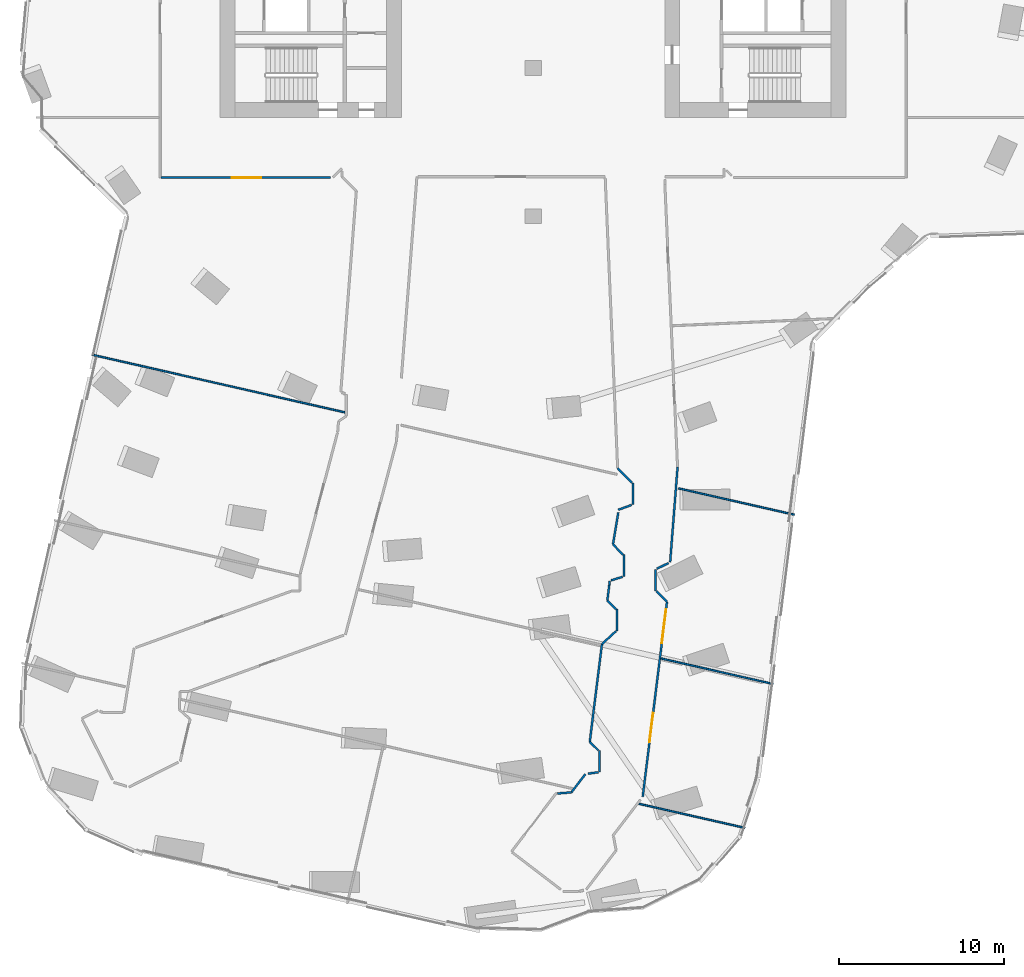
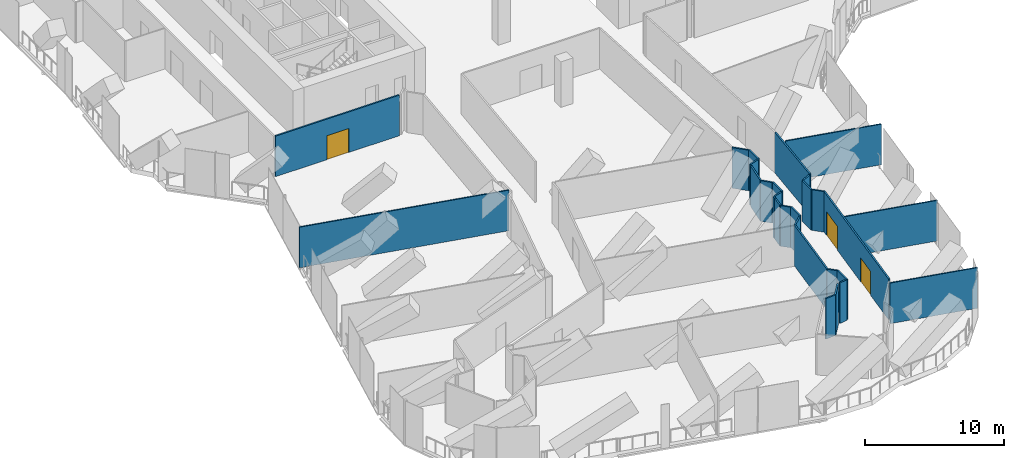
# One storey, part 21 of 29: 28 walls, 3 doors, 3 openings.
"""IFC4 building model written with IfcOpenShell, lengths in metres."""

from ifc_helpers import new_model, si_unit, direction, frame, frame_2d, origin, place, context, subcontext, project, spatial, rectangle, extrude, material, layer, layer_set, type_object, element, fill, save


model = new_model("IFC4")

# Units and contexts
model_context = context("Model", 3, precision=1e-05, world=origin(), true_north=direction((0.0, 1.0)))
body_context = subcontext(model_context, "Body", "Model", "MODEL_VIEW")
ifc_project = project(units=[si_unit("LENGTHUNIT", "METRE"), si_unit("AREAUNIT", "SQUARE_METRE"), si_unit("VOLUMEUNIT", "CUBIC_METRE"), si_unit("PLANEANGLEUNIT", "RADIAN"), si_unit("MASSUNIT", "GRAM", prefix="KILO")], contexts=[model_context])

# Site, building, storey
site_placement = place(None, origin())
site = spatial("IfcSite", under=ifc_project, at=site_placement, CompositionType="ELEMENT")
building_placement = place(site_placement, origin())
building = spatial("IfcBuilding", under=site, at=building_placement, Name="Orlundy Tower", CompositionType="ELEMENT")
storey_placement = place(building_placement, frame((0.0, 0.0, 184.60009765625)))
storey = spatial("IfcBuildingStorey", under=building, at=storey_placement, Name="L48", CompositionType="ELEMENT", Elevation=184.60009765625)

# Walls
ifc_material_1 = material(Name="Gypsum board partition")
ifc_layer_1 = layer(ifc_material_1, 0.10009765625)
ifc_layer_set_1 = layer_set([ifc_layer_1], Name="Floor partition 100")
wall_type_1 = type_object("IfcWallType", Name="Floor partition 100", PredefinedType="PARTITIONING", material=ifc_layer_set_1)
wall_1_placement = place(storey_placement, frame((6.431884765625, -53.6689453125, 0.0), z_axis=(0.0, 0.0, 1.0), x_axis=(0.975036744578, -0.222043569425, 0.0)))
element("IfcWall", 1, at=wall_1_placement, inside=storey, type_object=wall_type_1, Name="wall-int-L48-016", PredefinedType="PARTITIONING", context=body_context, shape_type="SweptSolid", body=[
    extrude(rectangle(XDim=6.59375, YDim=0.10009765625, at=frame_2d((3.296875, 0.0))), origin(), (0.0, 0.0, 1.0), 3.559814453125),
])
wall_2_placement = place(storey_placement, frame((7.761962890625, -44.843994140625, 0.0), z_axis=(0.0, 0.0, 1.0), x_axis=(0.97502842399, -0.222080103594, 0.0)))
element("IfcWall", 2, at=wall_2_placement, inside=storey, type_object=wall_type_1, Name="wall-int-L48-019", PredefinedType="PARTITIONING", context=body_context, shape_type="SweptSolid", body=[
    extrude(rectangle(XDim=6.988525390625, YDim=0.10009765625, at=frame_2d((3.494140625, 0.0))), origin(), (0.0, 0.0, 1.0), 3.559814453125),
])
wall_3_placement = place(storey_placement, frame((-26.783935546875, -26.404052734375, 0.0), z_axis=(0.0, 0.0, 1.0), x_axis=(0.975016314544, -0.222133262643, 0.0)))
element("IfcWall", 3, at=wall_3_placement, inside=storey, type_object=wall_type_1, Name="wall-int-L48-020", PredefinedType="PARTITIONING", context=body_context, shape_type="SweptSolid", body=[
    extrude(rectangle(XDim=15.7607421875, YDim=0.10009765625, at=frame_2d((7.88037109375, 0.0))), origin(), (0.0, 0.0, 1.0), 3.559814453125),
])
wall_4_placement = place(storey_placement, frame((8.83203125, -34.51806640625, 0.0), z_axis=(0.0, 0.0, 1.0), x_axis=(0.975036702015, -0.222043756329, 0.0)))
element("IfcWall", 4, at=wall_4_placement, inside=storey, type_object=wall_type_1, Name="wall-int-L48-022", PredefinedType="PARTITIONING", context=body_context, shape_type="SweptSolid", body=[
    extrude(rectangle(XDim=7.215087890625, YDim=0.10009765625, at=frame_2d((3.607421875, 0.0))), origin(), (0.0, 0.0, 1.0), 3.559814453125),
])
ifc_material_2 = material(Name="Gypsum board partition, double layer")
ifc_layer_2 = layer(ifc_material_2, 0.125)
ifc_layer_set_2 = layer_set([ifc_layer_2], Name="Floor partition 125")
wall_type_2 = type_object("IfcWallType", Name="Floor partition 125", PredefinedType="PARTITIONING", material=ifc_layer_set_2)
wall_5_placement = place(storey_placement, frame((1.468994140625, -53.0439453125, 0.0), z_axis=(0.0, 0.0, 1.0), x_axis=(0.996856824523, 0.079224184453, 0.0)))
element("IfcWall", 5, at=wall_5_placement, inside=storey, type_object=wall_type_2, Name="wall-int-L48-007", PredefinedType="PARTITIONING", context=body_context, shape_type="SweptSolid", body=[
    extrude(rectangle(XDim=0.856689453125, YDim=0.125, at=frame_2d((0.42822265625, 0.0))), origin(), (0.0, 0.0, 1.0), 3.559814453125),
])
wall_6_placement = place(storey_placement, frame((3.44091796875, -49.906982421875, 0.0), z_axis=(0.0, 0.0, 1.0), x_axis=(0.707946674324, -0.706265889247, 0.0)))
element("IfcWall", 6, at=wall_6_placement, inside=storey, type_object=wall_type_2, Name="wall-int-L48-024", PredefinedType="PARTITIONING", context=body_context, shape_type="SweptSolid", body=[
    extrude(rectangle(XDim=0.726318359375, YDim=0.125, at=frame_2d((0.36328125, 0.0))), origin(), (0.0, 0.0, 1.0), 3.559814453125),
])
wall_7_placement = place(storey_placement, frame((4.508056640625, -41.330078125, 0.0), z_axis=(0.0, 0.0, 1.0), x_axis=(0.707106781187, -0.707106781187, 0.0)))
element("IfcWall", 7, at=wall_7_placement, inside=storey, type_object=wall_type_2, Name="wall-int-L48-027", PredefinedType="PARTITIONING", context=body_context, shape_type="SweptSolid", body=[
    extrude(rectangle(XDim=0.740966796875, YDim=0.125, at=frame_2d((0.37060546875, 0.0))), origin(), (0.0, 0.0, 1.0), 3.559814453125),
])
wall_8_placement = place(storey_placement, frame((7.489013671875, -40.756103515625, 0.0), z_axis=(0.0, 0.0, 1.0), x_axis=(0.698901854073, -0.715217588132, 0.0)))
element("IfcWall", 8, at=wall_8_placement, inside=storey, type_object=wall_type_2, Name="wall-int-L48-029", PredefinedType="PARTITIONING", context=body_context, shape_type="SweptSolid", body=[
    extrude(rectangle(XDim=0.912841796875, YDim=0.125, at=frame_2d((0.45654296875, 0.0))), origin(), (0.0, 0.0, 1.0), 3.559814453125),
])
wall_9_placement = place(storey_placement, frame((4.85009765625, -37.9140625, 0.0), z_axis=(0.0, 0.0, 1.0), x_axis=(0.68792353656, -0.725783168617, 0.0)))
element("IfcWall", 9, at=wall_9_placement, inside=storey, type_object=wall_type_2, Name="wall-int-L48-030", PredefinedType="PARTITIONING", context=body_context, shape_type="SweptSolid", body=[
    extrude(rectangle(XDim=0.87060546875, YDim=0.125, at=frame_2d((0.435302734375, 0.0))), origin(), (0.0, 0.0, 1.0), 3.559814453125),
])
wall_10_placement = place(storey_placement, frame((5.132080078125, -33.291015625, 0.0), z_axis=(0.0, 0.0, 1.0), x_axis=(0.697395951128, -0.716686045176, 0.0)))
element("IfcWall", 10, at=wall_10_placement, inside=storey, type_object=wall_type_2, Name="wall-int-L48-031", PredefinedType="PARTITIONING", context=body_context, shape_type="SweptSolid", body=[
    extrude(rectangle(XDim=1.240234375, YDim=0.125, at=frame_2d((0.6201171875, 0.0))), origin(), (0.0, 0.0, 1.0), 3.559814453125),
])

# Wall, opening, door
wall_11_placement = place(storey_placement, frame((-12.31103515625, -15.65087890625, 0.0), z_axis=(0.0, 0.0, 1.0), x_axis=(-1.0, 0.0, 0.0)))
wall_11 = element("IfcWall", 11, at=wall_11_placement, inside=storey, type_object=wall_type_2, Name="wall-int-L48-033", PredefinedType="PARTITIONING", context=body_context, shape_type="SweptSolid", body=[
    extrude(rectangle(XDim=10.27587890625, YDim=0.125, at=frame_2d((5.137939453125, 0.0))), origin(), (0.0, 0.0, 1.0), 3.559814453125),
])
opening_1_placement = place(wall_11_placement, frame((4.19921875, 0.0, 0.0)))
opening_1 = element("IfcOpeningElement", 12, at=opening_1_placement, cuts=wall_11, Name="Opening 37110", PredefinedType="OPENING", context=body_context, shape_type="SweptSolid", body=[
    extrude(rectangle(XDim=1.800048828125, YDim=2.10009765625, at=frame_2d((0.89990234375, 1.050048828125))), frame((0.0, 0.072509765625, 0.0), z_axis=(0.0, -1.0, 0.0), x_axis=(1.0, 0.0, 0.0)), (0.0, 0.0, 1.0), 0.14501953125),
])
ifc_material_3 = material(Name="Timber door leaf", Category="wood")
door_type_1 = type_object("IfcDoorType", Name="Floor door double 1800 FD30S", OperationType="NOTDEFINED", PredefinedType="DOOR", material=ifc_material_3)
door_1_placement = place(opening_1_placement, origin())
door_1 = element("IfcDoor", 13, at=door_1_placement, inside=storey, type_object=door_type_1, Name="Door 37110", OperationType="DOUBLE_DOOR_SINGLE_SWING", OverallHeight=2.10009765625, OverallWidth=1.800048828125, PredefinedType="DOOR", context=body_context, shape_type="SweptSolid", body=[
    extrude(rectangle(XDim=1.800048828125, YDim=2.10009765625, at=frame_2d((0.89990234375, 1.050048828125))), frame((0.0, 0.02490234375, 0.0), z_axis=(0.0, -1.0, 0.0), x_axis=(1.0, 0.0, 0.0)), (0.0, 0.0, 1.0), 0.050048828125),
])
fill(opening_1, door_1)

# Walls
wall_12_placement = place(storey_placement, frame((4.178955078125, -43.972900390625, 0.0), z_axis=(0.0, 0.0, 1.0), x_axis=(0.735423785208, 0.677607449893, 0.0)))
element("IfcWall", 14, at=wall_12_placement, inside=storey, type_object=wall_type_2, Name="wall-int-L48-049", PredefinedType="PARTITIONING", context=body_context, shape_type="SweptSolid", body=[
    extrude(rectangle(XDim=1.1611328125, YDim=0.125, at=frame_2d((0.58056640625, 0.0))), origin(), (0.0, 0.0, 1.0), 3.559814453125),
])
wall_13_placement = place(storey_placement, frame((3.326904296875, -51.841064453125, 0.0), z_axis=(0.0, 0.0, 1.0), x_axis=(0.990117840242, 0.140237878032, 0.0)))
element("IfcWall", 15, at=wall_13_placement, inside=storey, type_object=wall_type_2, Name="wall-int-L48-050", PredefinedType="PARTITIONING", context=body_context, shape_type="SweptSolid", body=[
    extrude(rectangle(XDim=0.635498046875, YDim=0.125, at=frame_2d((0.31787109375, 0.0))), origin(), (0.0, 0.0, 1.0), 3.559814453125),
])
wall_14_placement = place(storey_placement, frame((4.72705078125, -40.10595703125, 0.0), z_axis=(0.0, 0.0, 1.0), x_axis=(0.955857938903, 0.293829203171, 0.0)))
element("IfcWall", 16, at=wall_14_placement, inside=storey, type_object=wall_type_2, Name="wall-int-L48-052", PredefinedType="PARTITIONING", context=body_context, shape_type="SweptSolid", body=[
    extrude(rectangle(XDim=0.7353515625, YDim=0.125, at=frame_2d((0.36767578125, 0.0))), origin(), (0.0, 0.0, 1.0), 3.559814453125),
])
wall_15_placement = place(storey_placement, frame((5.169921875, -35.820068359375, 0.0), z_axis=(0.0, 0.0, 1.0), x_axis=(0.940224983717, 0.34055393111, 0.0)))
element("IfcWall", 17, at=wall_15_placement, inside=storey, type_object=wall_type_2, Name="wall-int-L48-053", PredefinedType="PARTITIONING", context=body_context, shape_type="SweptSolid", body=[
    extrude(rectangle(XDim=0.857421875, YDim=0.125, at=frame_2d((0.4287109375, 0.0))), origin(), (0.0, 0.0, 1.0), 3.559814453125),
])
wall_16_placement = place(storey_placement, frame((7.51611328125, -39.39794921875, 0.0), z_axis=(0.0, 0.0, 1.0), x_axis=(0.897698918179, 0.440609410135, 0.0)))
element("IfcWall", 18, at=wall_16_placement, inside=storey, type_object=wall_type_2, Name="wall-int-L48-056", PredefinedType="PARTITIONING", context=body_context, shape_type="SweptSolid", body=[
    extrude(rectangle(XDim=0.78515625, YDim=0.125, at=frame_2d((0.392578125, 0.0))), origin(), (0.0, 0.0, 1.0), 3.559814453125),
])
wall_17_placement = place(storey_placement, frame((3.176025390625, -51.862060546875, 0.0), z_axis=(0.0, 0.0, 1.0), x_axis=(-0.607960208504, -0.793967496108, 0.0)))
element("IfcWall", 19, at=wall_17_placement, inside=storey, type_object=wall_type_2, Name="wall-int-L48-061", PredefinedType="PARTITIONING", context=body_context, shape_type="SweptSolid", body=[
    extrude(rectangle(XDim=1.403076171875, YDim=0.125, at=frame_2d((0.70166015625, 0.0))), origin(), (0.0, 0.0, 1.0), 3.559814453125),
])
wall_18_placement = place(storey_placement, frame((8.319091796875, -39.0029296875, 0.0), z_axis=(0.0, 0.0, 1.0), x_axis=(0.078040884087, 0.996950159442, 0.0)))
element("IfcWall", 20, at=wall_18_placement, inside=storey, type_object=wall_type_2, Name="wall-int-L48-071", PredefinedType="PARTITIONING", context=body_context, shape_type="SweptSolid", body=[
    extrude(rectangle(XDim=5.79052734375, YDim=0.125, at=frame_2d((2.895263671875, 0.0))), origin(), (0.0, 0.0, 1.0), 3.559814453125),
])
wall_19_placement = place(storey_placement, frame((4.85009765625, -37.9140625, 0.0), z_axis=(0.0, 0.0, 1.0), x_axis=(0.163730111837, 0.986505170021, 0.0)))
element("IfcWall", 21, at=wall_19_placement, inside=storey, type_object=wall_type_2, Name="wall-int-L48-072", PredefinedType="PARTITIONING", context=body_context, shape_type="SweptSolid", body=[
    extrude(rectangle(XDim=1.953369140625, YDim=0.125, at=frame_2d((0.9765625, 0.0))), origin(), (0.0, 0.0, 1.0), 3.559814453125),
])

# Wall, openings, doors
wall_20_placement = place(storey_placement, frame((8.126953125, -41.408935546875, 0.0), z_axis=(0.0, 0.0, 1.0), x_axis=(-0.123520658821, -0.992342000948, 0.0)))
wall_20 = element("IfcWall", 22, at=wall_20_placement, inside=storey, type_object=wall_type_2, Name="wall-int-L48-073", PredefinedType="PARTITIONING", context=body_context, shape_type="SweptSolid", body=[
    extrude(rectangle(XDim=11.92431640625, YDim=0.125, at=frame_2d((5.962158203125, 0.0))), origin(), (0.0, 0.0, 1.0), 3.559814453125),
])
opening_2_placement = place(wall_20_placement, frame((0.443115234375, 0.0, 0.0)))
opening_2 = element("IfcOpeningElement", 23, at=opening_2_placement, cuts=wall_20, Name="Opening 37100", PredefinedType="OPENING", context=body_context, shape_type="SweptSolid", body=[
    extrude(rectangle(XDim=2.10009765625, YDim=2.10009765625, at=frame_2d((1.050048828125, 1.050048828125))), frame((0.0, 0.072509765625, 0.0), z_axis=(0.0, -1.0, 0.0), x_axis=(1.0, 0.0, 0.0)), (0.0, 0.0, 1.0), 0.14501953125),
])
opening_3_placement = place(wall_20_placement, frame((6.797607421875, 0.0, 0.0)))
opening_3 = element("IfcOpeningElement", 24, at=opening_3_placement, cuts=wall_20, Name="Opening 37101", PredefinedType="OPENING", context=body_context, shape_type="SweptSolid", body=[
    extrude(rectangle(XDim=1.800048828125, YDim=2.10009765625, at=frame_2d((0.89990234375, 1.050048828125))), frame((0.0, 0.072509765625, 0.0), z_axis=(0.0, -1.0, 0.0), x_axis=(1.0, 0.0, 0.0)), (0.0, 0.0, 1.0), 0.14501953125),
])
door_2_placement = place(opening_3_placement, origin())
door_2 = element("IfcDoor", 25, at=door_2_placement, inside=storey, type_object=door_type_1, Name="Door 37101", OperationType="DOUBLE_DOOR_SINGLE_SWING", OverallHeight=2.10009765625, OverallWidth=1.800048828125, PredefinedType="DOOR", context=body_context, shape_type="SweptSolid", body=[
    extrude(rectangle(XDim=1.800048828125, YDim=2.10009765625, at=frame_2d((0.89990234375, 1.050048828125))), frame((0.0, 0.02490234375, 0.0), z_axis=(0.0, -1.0, 0.0), x_axis=(1.0, 0.0, 0.0)), (0.0, 0.0, 1.0), 0.050048828125),
])
fill(opening_3, door_2)
ifc_material_4 = material(Name="Timber door leaf", Category="wood")
door_type_2 = type_object("IfcDoorType", Name="Floor door double 2100 FD30S", OperationType="NOTDEFINED", PredefinedType="DOOR", material=ifc_material_4)
door_3_placement = place(opening_2_placement, origin())
door_3 = element("IfcDoor", 26, at=door_3_placement, inside=storey, type_object=door_type_2, Name="Door 37100", OperationType="DOUBLE_DOOR_SINGLE_SWING", OverallHeight=2.10009765625, OverallWidth=2.10009765625, PredefinedType="DOOR", context=body_context, shape_type="SweptSolid", body=[
    extrude(rectangle(XDim=2.10009765625, YDim=2.10009765625, at=frame_2d((1.050048828125, 1.050048828125))), frame((0.0, 0.02490234375, 0.0), z_axis=(0.0, -1.0, 0.0), x_axis=(1.0, 0.0, 0.0)), (0.0, 0.0, 1.0), 0.050048828125),
])
fill(opening_2, door_3)

# Walls
wall_21_placement = place(storey_placement, frame((3.44091796875, -49.906982421875, 0.0), z_axis=(0.0, 0.0, 1.0), x_axis=(0.123421669621, 0.992354317504, 0.0)))
element("IfcWall", 27, at=wall_21_placement, inside=storey, type_object=wall_type_2, Name="wall-int-L48-074", PredefinedType="PARTITIONING", context=body_context, shape_type="SweptSolid", body=[
    extrude(rectangle(XDim=5.979736328125, YDim=0.125, at=frame_2d((2.98974609375, 0.0))), origin(), (0.0, 0.0, 1.0), 3.559814453125),
])
wall_22_placement = place(storey_placement, frame((4.508056640625, -41.330078125, 0.0), z_axis=(0.0, 0.0, 1.0), x_axis=(0.123659703411, 0.992324683635, 0.0)))
element("IfcWall", 28, at=wall_22_placement, inside=storey, type_object=wall_type_2, Name="wall-int-L48-075", PredefinedType="PARTITIONING", context=body_context, shape_type="SweptSolid", body=[
    extrude(rectangle(XDim=0.96142578125, YDim=0.125, at=frame_2d((0.480712890625, 0.0))), origin(), (0.0, 0.0, 1.0), 3.559814453125),
])
wall_23_placement = place(storey_placement, frame((4.626953125, -40.3759765625, 0.0), z_axis=(0.0, 0.0, 1.0), x_axis=(0.057960455479, 0.998318879718, 0.0)))
element("IfcWall", 29, at=wall_23_placement, inside=storey, type_object=wall_type_2, Name="wall-int-L48-080", PredefinedType="PARTITIONING", context=body_context, shape_type="SweptSolid", body=[
    extrude(rectangle(XDim=0.244384765625, YDim=0.125, at=frame_2d((0.1220703125, 0.0))), origin(), (0.0, 0.0, 1.0), 3.559814453125),
])
wall_24_placement = place(storey_placement, frame((7.426025390625, -40.756103515625, 0.0), z_axis=(0.0, 0.0, 1.0), x_axis=(0.0, 1.0, 0.0)))
element("IfcWall", 30, at=wall_24_placement, inside=storey, type_object=wall_type_2, Name="wall-int-L48-087", PredefinedType="PARTITIONING", context=body_context, shape_type="SweptSolid", body=[
    extrude(rectangle(XDim=1.314208984375, YDim=0.125, at=frame_2d((0.6572265625, 0.0))), origin(), (0.0, 0.0, 1.0), 3.559814453125),
])
wall_25_placement = place(storey_placement, frame((6.06005859375, -35.498046875, 0.0), z_axis=(0.0, 0.0, 1.0), x_axis=(0.0, 1.0, 0.0)))
element("IfcWall", 31, at=wall_25_placement, inside=storey, type_object=wall_type_2, Name="wall-int-L48-088", PredefinedType="PARTITIONING", context=body_context, shape_type="SweptSolid", body=[
    extrude(rectangle(XDim=1.318115234375, YDim=0.125, at=frame_2d((0.6591796875, 0.0))), origin(), (0.0, 0.0, 1.0), 3.559814453125),
])
wall_26_placement = place(storey_placement, frame((5.510986328125, -39.864990234375, 0.0), z_axis=(0.0, 0.0, 1.0), x_axis=(0.0, 1.0, 0.0)))
element("IfcWall", 32, at=wall_26_placement, inside=storey, type_object=wall_type_2, Name="wall-int-L48-089", PredefinedType="PARTITIONING", context=body_context, shape_type="SweptSolid", body=[
    extrude(rectangle(XDim=1.319091796875, YDim=0.125, at=frame_2d((0.65966796875, 0.0))), origin(), (0.0, 0.0, 1.0), 3.559814453125),
])
wall_27_placement = place(storey_placement, frame((5.094970703125, -43.177978515625, 0.0), z_axis=(0.0, 0.0, 1.0), x_axis=(0.0, 1.0, 0.0)))
element("IfcWall", 33, at=wall_27_placement, inside=storey, type_object=wall_type_2, Name="wall-int-L48-090", PredefinedType="PARTITIONING", context=body_context, shape_type="SweptSolid", body=[
    extrude(rectangle(XDim=1.323974609375, YDim=0.125, at=frame_2d((0.662109375, 0.0))), origin(), (0.0, 0.0, 1.0), 3.559814453125),
])
wall_28_placement = place(storey_placement, frame((4.01806640625, -51.742919921875, 0.0), z_axis=(0.0, 0.0, 1.0), x_axis=(0.0, 1.0, 0.0)))
element("IfcWall", 34, at=wall_28_placement, inside=storey, type_object=wall_type_2, Name="wall-int-L48-091", PredefinedType="PARTITIONING", context=body_context, shape_type="SweptSolid", body=[
    extrude(rectangle(XDim=1.322998046875, YDim=0.125, at=frame_2d((0.66162109375, 0.0))), origin(), (0.0, 0.0, 1.0), 3.559814453125),
])

save(model, "model.ifc")
